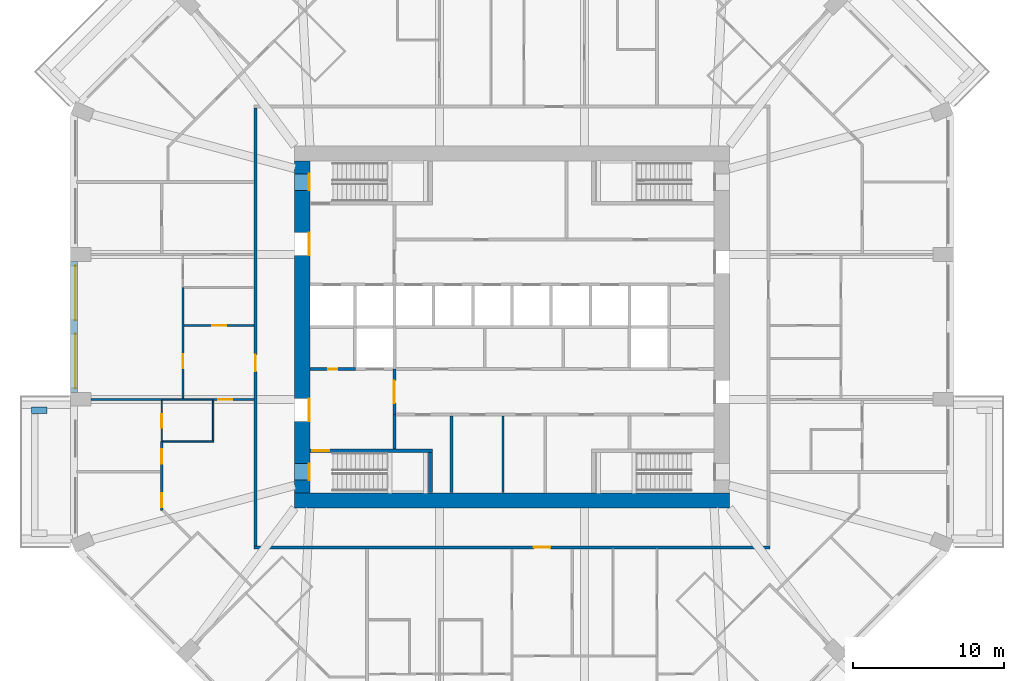
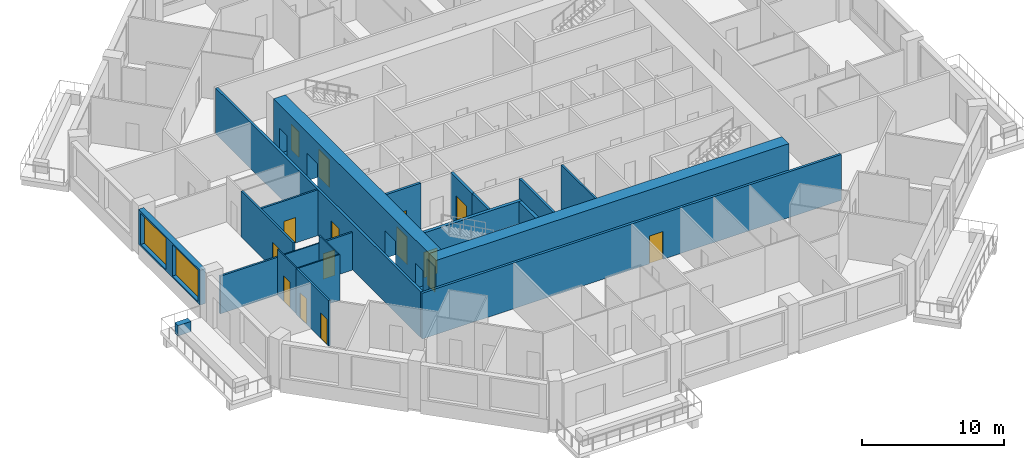
# One storey, part 4 of 13: 22 walls, 15 doors, 2 windows, 17 openings.
"""IFC4 building model written with IfcOpenShell, lengths in metres."""

from ifc_helpers import new_model, si_unit, direction, frame, frame_2d, origin, place, context, subcontext, project, spatial, rectangle, extrude, material, layer, layer_set, type_object, element, fill, save


model = new_model("IFC4")

# Units and contexts
model_context = context("Model", 3, precision=1e-05, world=origin(), true_north=direction((0.0, 1.0)))
body_context = subcontext(model_context, "Body", "Model", "MODEL_VIEW")
ifc_project = project(units=[si_unit("LENGTHUNIT", "METRE"), si_unit("AREAUNIT", "SQUARE_METRE"), si_unit("VOLUMEUNIT", "CUBIC_METRE"), si_unit("PLANEANGLEUNIT", "RADIAN"), si_unit("MASSUNIT", "GRAM", prefix="KILO")], contexts=[model_context])

# Site, building, storey
site_placement = place(None, origin())
site = spatial("IfcSite", under=ifc_project, at=site_placement, CompositionType="ELEMENT")
building_placement = place(site_placement, origin())
building = spatial("IfcBuilding", under=site, at=building_placement, Name="Msitu Wima Residences", CompositionType="ELEMENT")
storey_placement = place(building_placement, frame((0.0, 0.0, 54.89990234375)))
storey = spatial("IfcBuildingStorey", under=building, at=storey_placement, Name="L12", CompositionType="ELEMENT", Elevation=54.89990234375)

# Wall
ifc_material_1 = material(Name="Facing brick")
ifc_layer_1 = layer(ifc_material_1, 0.06494140625, Name="Facing brick")
ifc_material_2 = material(Name="Concrete C40/50", Category="concrete")
ifc_layer_2 = layer(ifc_material_2, 0.156005859375, Name="Concrete C40/50")
ifc_material_3 = material(Name="Waterproofing membrane")
ifc_layer_3 = layer(ifc_material_3, 0.00390625, Name="Waterproofing membrane")
ifc_material_4 = material(Name="Planting soil and planting")
ifc_layer_4 = layer(ifc_material_4, 0.22509765625, Name="Planting soil and planting")
ifc_layer_set_1 = layer_set([ifc_layer_1, ifc_layer_2, ifc_layer_3, ifc_layer_4], Name="Concrete C40/50")
wall_type_1 = type_object("IfcWallType", Name="Balcony planter PLANTER PL450", PredefinedType="USERDEFINED", material=ifc_layer_set_1)
wall_1_placement = place(storey_placement, frame((-30.800048828125, -5.52490234375, 0.0), z_axis=(0.0, 0.0, 1.0), x_axis=(-1.0, 0.0, 0.0)))
element("IfcWall", 1, at=wall_1_placement, inside=storey, type_object=wall_type_1, Name="Balcony planter W2 L12", ObjectType="PLANTER", PredefinedType="USERDEFINED", context=body_context, shape_type="SweptSolid", body=[
    extrude(rectangle(XDim=1.050048828125, YDim=0.449951171875, at=frame_2d((0.52490234375, 0.0))), origin(), (0.0, 0.0, 1.0), 0.900146484375),
])

# Wall, openings, windows
ifc_material_5 = material(Name="Brick (red buff mix)", Category="masonry")
ifc_layer_5 = layer(ifc_material_5, 0.449951171875)
ifc_layer_set_2 = layer_set([ifc_layer_5], Name="Brick (red buff mix)")
wall_type_2 = type_object("IfcWallType", Name="Brick infill wall BW450", PredefinedType="SOLIDWALL", material=ifc_layer_set_2)
wall_2_placement = place(storey_placement, frame((-29.02490234375, 4.35009765625, 0.900146484375), z_axis=(0.0, 0.0, 1.0), x_axis=(0.0, -1.0, 0.0)))
wall_2 = element("IfcWall", 2, at=wall_2_placement, inside=storey, type_object=wall_type_2, Name="Brick infill wall L12 W1", PredefinedType="SOLIDWALL", context=body_context, shape_type="SweptSolid", body=[
    extrude(rectangle(XDim=8.7001953125, YDim=0.449951171875, at=frame_2d((4.35009765625, 0.0))), origin(), (0.0, 0.0, 1.0), 3.0),
])
opening_1_placement = place(wall_2_placement, frame((0.300048828125, 0.0, 0.14990234375)))
opening_1 = element("IfcOpeningElement", 3, at=opening_1_placement, cuts=wall_2, Name="Opening W11-12.031", PredefinedType="OPENING", context=body_context, shape_type="SweptSolid", body=[
    extrude(rectangle(XDim=3.60009765625, YDim=2.699951171875, at=frame_2d((1.800048828125, 1.35009765625))), frame((0.0, 0.23486328125, 0.0), z_axis=(0.0, -1.0, 0.0), x_axis=(1.0, 0.0, 0.0)), (0.0, 0.0, 1.0), 0.469970703125),
])
opening_2_placement = place(wall_2_placement, frame((4.800048828125, 0.0, 0.14990234375)))
opening_2 = element("IfcOpeningElement", 4, at=opening_2_placement, cuts=wall_2, Name="Opening W11-12.032", PredefinedType="OPENING", context=body_context, shape_type="SweptSolid", body=[
    extrude(rectangle(XDim=3.60009765625, YDim=2.699951171875, at=frame_2d((1.800048828125, 1.35009765625))), frame((0.0, 0.23486328125, 0.0), z_axis=(0.0, -1.0, 0.0), x_axis=(1.0, 0.0, 0.0)), (0.0, 0.0, 1.0), 0.469970703125),
])
ifc_material_6 = material(Name="Anodised aluminium, bronze finish, clear low-emissivity double glazing", Category="aluminium")
window_type = type_object("IfcWindowType", Name="Window W3600x2700", PartitioningType="DOUBLE_PANEL_VERTICAL", PredefinedType="WINDOW", material=ifc_material_6)
window_1_placement = place(opening_1_placement, origin())
window_1 = element("IfcWindow", 5, at=window_1_placement, inside=storey, type_object=window_type, Name="Window L12 W1.1", OverallHeight=2.699951171875, OverallWidth=3.60009765625, PartitioningType="SINGLE_PANEL", PredefinedType="WINDOW", context=body_context, shape_type="SweptSolid", body=[
    extrude(rectangle(XDim=3.60009765625, YDim=2.699951171875, at=frame_2d((1.800048828125, 1.35009765625))), frame((0.0, 0.135009765625, 0.0), z_axis=(0.0, -1.0, 0.0), x_axis=(1.0, 0.0, 0.0)), (0.0, 0.0, 1.0), 0.06005859375),
])
fill(opening_1, window_1)
window_2_placement = place(opening_2_placement, origin())
window_2 = element("IfcWindow", 6, at=window_2_placement, inside=storey, type_object=window_type, Name="Window L12 W1.2", OverallHeight=2.699951171875, OverallWidth=3.60009765625, PartitioningType="SINGLE_PANEL", PredefinedType="WINDOW", context=body_context, shape_type="SweptSolid", body=[
    extrude(rectangle(XDim=3.60009765625, YDim=2.699951171875, at=frame_2d((1.800048828125, 1.35009765625))), frame((0.0, 0.135009765625, 0.0), z_axis=(0.0, -1.0, 0.0), x_axis=(1.0, 0.0, 0.0)), (0.0, 0.0, 1.0), 0.06005859375),
])
fill(opening_2, window_2)

# Wall
ifc_material_7 = material(Name="Concrete C80/95", Category="concrete")
ifc_layer_6 = layer(ifc_material_7, 1.0)
ifc_layer_set_3 = layer_set([ifc_layer_6], Name="Concrete C80/95")
wall_type_3 = type_object("IfcWallType", Name="Core wall CW1000 C80/95", PredefinedType="SHEAR", material=ifc_layer_set_3)
wall_3_placement = place(storey_placement, frame((-14.39990234375, -11.5, 0.0), z_axis=(0.0, 0.0, 1.0), x_axis=(1.0, 0.0, 0.0)))
element("IfcWall", 7, at=wall_3_placement, inside=storey, type_object=wall_type_3, Name="Core wall", PredefinedType="SHEAR", context=body_context, shape_type="SweptSolid", body=[
    extrude(rectangle(XDim=28.7998046875, YDim=1.0, at=frame_2d((14.39990234375, 0.0))), origin(), (0.0, 0.0, 1.0), 4.2001953125),
])

# Wall, openings, doors
wall_4_placement = place(storey_placement, frame((-13.89990234375, -11.0, 0.0), z_axis=(0.0, 0.0, 1.0), x_axis=(0.0, 1.0, 0.0)))
wall_4 = element("IfcWall", 8, at=wall_4_placement, inside=storey, type_object=wall_type_3, Name="Core wall", PredefinedType="SHEAR", context=body_context, shape_type="SweptSolid", body=[
    extrude(rectangle(XDim=22.0, YDim=1.0, at=frame_2d((11.0, 0.0))), origin(), (0.0, 0.0, 1.0), 4.2001953125),
])
opening_3_placement = place(wall_4_placement, frame((20.050048828125, 0.0, 0.0)))
opening_3 = element("IfcOpeningElement", 9, at=opening_3_placement, cuts=wall_4, Name="Opening D11-12.031", PredefinedType="OPENING", context=body_context, shape_type="SweptSolid", body=[
    extrude(rectangle(XDim=1.10009765625, YDim=2.199951171875, at=frame_2d((0.550048828125, 1.10009765625))), frame((0.0, 0.510009765625, 0.0), z_axis=(0.0, -1.0, 0.0), x_axis=(1.0, 0.0, 0.0)), (0.0, 0.0, 1.0), 1.02001953125),
])
opening_4_placement = place(wall_4_placement, frame((0.85009765625, 0.0, 0.0)))
opening_4 = element("IfcOpeningElement", 10, at=opening_4_placement, cuts=wall_4, Name="Opening D11-12.033", PredefinedType="OPENING", context=body_context, shape_type="SweptSolid", body=[
    extrude(rectangle(XDim=1.10009765625, YDim=2.199951171875, at=frame_2d((0.550048828125, 1.10009765625))), frame((0.0, 0.510009765625, 0.0), z_axis=(0.0, -1.0, 0.0), x_axis=(1.0, 0.0, 0.0)), (0.0, 0.0, 1.0), 1.02001953125),
])
opening_5_placement = place(wall_4_placement, frame((15.75, 0.0, 0.0)))
opening_5 = element("IfcOpeningElement", 11, at=opening_5_placement, cuts=wall_4, Name="Opening D11-12.013", PredefinedType="OPENING", context=body_context, shape_type="SweptSolid", body=[
    extrude(rectangle(XDim=1.5, YDim=2.39990234375, at=frame_2d((0.75, 1.199951171875))), frame((0.0, 0.510009765625, 0.0), z_axis=(0.0, -1.0, 0.0), x_axis=(1.0, 0.0, 0.0)), (0.0, 0.0, 1.0), 1.02001953125),
])
opening_6_placement = place(wall_4_placement, frame((4.75, 0.0, 0.0)))
opening_6 = element("IfcOpeningElement", 12, at=opening_6_placement, cuts=wall_4, Name="Opening D11-12.015", PredefinedType="OPENING", context=body_context, shape_type="SweptSolid", body=[
    extrude(rectangle(XDim=1.5, YDim=2.39990234375, at=frame_2d((0.75, 1.199951171875))), frame((0.0, 0.510009765625, 0.0), z_axis=(0.0, -1.0, 0.0), x_axis=(1.0, 0.0, 0.0)), (0.0, 0.0, 1.0), 1.02001953125),
])
ifc_material_8 = material(Name="Steel framed glazed door, fire resisting", Category="steel")
door_type_1 = type_object("IfcDoorType", Name="Lobby door D07 1500x2400", OperationType="DOUBLE_DOOR_SINGLE_SWING", PredefinedType="DOOR", material=ifc_material_8)
door_1_placement = place(opening_5_placement, origin())
door_1 = element("IfcDoor", 13, at=door_1_placement, inside=storey, type_object=door_type_1, Name="Lobby door", OperationType="DOUBLE_DOOR_SINGLE_SWING", OverallHeight=2.39990234375, OverallWidth=1.5, PredefinedType="DOOR", context=body_context, shape_type="SweptSolid", body=[
    extrude(rectangle(XDim=1.5, YDim=2.39990234375, at=frame_2d((0.75, 1.199951171875))), frame((0.0, -0.44482421875, 0.0), z_axis=(0.0, -1.0, 0.0), x_axis=(1.0, 0.0, 0.0)), (0.0, 0.0, 1.0), 0.050048828125),
])
fill(opening_5, door_1)
door_2_placement = place(opening_6_placement, origin())
door_2 = element("IfcDoor", 14, at=door_2_placement, inside=storey, type_object=door_type_1, Name="Lobby door", OperationType="DOUBLE_DOOR_SINGLE_SWING", OverallHeight=2.39990234375, OverallWidth=1.5, PredefinedType="DOOR", context=body_context, shape_type="SweptSolid", body=[
    extrude(rectangle(XDim=1.5, YDim=2.39990234375, at=frame_2d((0.75, 1.199951171875))), frame((0.0, -0.44482421875, 0.0), z_axis=(0.0, -1.0, 0.0), x_axis=(1.0, 0.0, 0.0)), (0.0, 0.0, 1.0), 0.050048828125),
])
fill(opening_6, door_2)
ifc_material_9 = material(Name="Steel door, fire resisting, panic bar", Category="steel")
door_type_2 = type_object("IfcDoorType", Name="Stair door D06 1100x2200", OperationType="SINGLE_SWING_LEFT", PredefinedType="DOOR", material=ifc_material_9)
door_3_placement = place(opening_3_placement, origin())
door_3 = element("IfcDoor", 15, at=door_3_placement, inside=storey, type_object=door_type_2, Name="Stair door", OperationType="SINGLE_SWING_RIGHT", OverallHeight=2.199951171875, OverallWidth=1.10009765625, PredefinedType="DOOR", context=body_context, shape_type="SweptSolid", body=[
    extrude(rectangle(XDim=1.10009765625, YDim=2.199951171875, at=frame_2d((0.550048828125, 1.10009765625))), frame((0.0, -0.44482421875, 0.0), z_axis=(0.0, -1.0, 0.0), x_axis=(1.0, 0.0, 0.0)), (0.0, 0.0, 1.0), 0.050048828125),
])
fill(opening_3, door_3)
door_4_placement = place(opening_4_placement, origin())
door_4 = element("IfcDoor", 16, at=door_4_placement, inside=storey, type_object=door_type_2, Name="Stair door", OperationType="SINGLE_SWING_LEFT", OverallHeight=2.199951171875, OverallWidth=1.10009765625, PredefinedType="DOOR", context=body_context, shape_type="SweptSolid", body=[
    extrude(rectangle(XDim=1.10009765625, YDim=2.199951171875, at=frame_2d((0.550048828125, 1.10009765625))), frame((0.0, -0.44482421875, 0.0), z_axis=(0.0, -1.0, 0.0), x_axis=(1.0, 0.0, 0.0)), (0.0, 0.0, 1.0), 0.050048828125),
])
fill(opening_4, door_4)

# Wall, opening, door
ifc_material_10 = material(Name="Plaster")
ifc_layer_7 = layer(ifc_material_10, 0.011962890625, Name="Plaster")
ifc_material_11 = material(Name="Concrete blockwork", Category="masonry")
ifc_layer_8 = layer(ifc_material_11, 0.176025390625, Name="Concrete blockwork")
ifc_layer_9 = layer(ifc_material_10, 0.011962890625, Name="Plaster")
ifc_layer_set_4 = layer_set([ifc_layer_7, ifc_layer_8, ifc_layer_9], Name="Concrete blockwork")
wall_type_4 = type_object("IfcWallType", Name="Corridor wall FW200", PredefinedType="PARTITIONING", material=ifc_layer_set_4)
wall_5_placement = place(storey_placement, frame((-17.0, -14.5, 0.0), z_axis=(0.0, 0.0, 1.0), x_axis=(0.0, 1.0, 0.0)))
wall_5 = element("IfcWall", 17, at=wall_5_placement, inside=storey, type_object=wall_type_4, Name="Corridor wall", PredefinedType="PARTITIONING", context=body_context, shape_type="SweptSolid", body=[
    extrude(rectangle(XDim=29.0, YDim=0.199951171875, at=frame_2d((14.5, 0.0))), origin(), (0.0, 0.0, 1.0), 3.9501953125),
])
opening_7_placement = place(wall_5_placement, frame((11.550048828125, 0.0, 0.0)))
opening_7 = element("IfcOpeningElement", 18, at=opening_7_placement, cuts=wall_5, Name="Opening D11-12.010", PredefinedType="OPENING", context=body_context, shape_type="SweptSolid", body=[
    extrude(rectangle(XDim=1.10009765625, YDim=2.39990234375, at=frame_2d((0.550048828125, 1.199951171875))), frame((0.0, 0.10986328125, 0.0), z_axis=(0.0, -1.0, 0.0), x_axis=(1.0, 0.0, 0.0)), (0.0, 0.0, 1.0), 0.219970703125),
])
ifc_material_12 = material(Name="Timber flush door, fire resisting, self-closing", Category="wood")
door_type_3 = type_object("IfcDoorType", Name="Flat entrance door D01 1100x2400", OperationType="SINGLE_SWING_LEFT", PredefinedType="DOOR", material=ifc_material_12)
door_5_placement = place(opening_7_placement, origin())
door_5 = element("IfcDoor", 19, at=door_5_placement, inside=storey, type_object=door_type_3, Name="Flat entrance door", OperationType="SINGLE_SWING_LEFT", OverallHeight=2.39990234375, OverallWidth=1.10009765625, PredefinedType="DOOR", context=body_context, shape_type="SweptSolid", body=[
    extrude(rectangle(XDim=1.10009765625, YDim=2.39990234375, at=frame_2d((0.550048828125, 1.199951171875))), frame((0.0, 0.02490234375, 0.0), z_axis=(0.0, -1.0, 0.0), x_axis=(1.0, 0.0, 0.0)), (0.0, 0.0, 1.0), 0.050048828125),
])
fill(opening_7, door_5)

wall_6_placement = place(storey_placement, frame((-17.10009765625, -14.60009765625, 0.0), z_axis=(0.0, 0.0, 1.0), x_axis=(1.0, 0.0, 0.0)))
wall_6 = element("IfcWall", 20, at=wall_6_placement, inside=storey, type_object=wall_type_4, Name="Corridor wall", PredefinedType="PARTITIONING", context=body_context, shape_type="SweptSolid", body=[
    extrude(rectangle(XDim=34.2001953125, YDim=0.199951171875, at=frame_2d((17.10009765625, 0.0))), origin(), (0.0, 0.0, 1.0), 3.9501953125),
])
opening_8_placement = place(wall_6_placement, frame((18.550048828125, 0.0, 0.0)))
opening_8 = element("IfcOpeningElement", 21, at=opening_8_placement, cuts=wall_6, Name="Opening D11-12.011", PredefinedType="OPENING", context=body_context, shape_type="SweptSolid", body=[
    extrude(rectangle(XDim=1.10009765625, YDim=2.39990234375, at=frame_2d((0.550048828125, 1.199951171875))), frame((0.0, 0.10986328125, 0.0), z_axis=(0.0, -1.0, 0.0), x_axis=(1.0, 0.0, 0.0)), (0.0, 0.0, 1.0), 0.219970703125),
])
door_6_placement = place(opening_8_placement, origin())
door_6 = element("IfcDoor", 22, at=door_6_placement, inside=storey, type_object=door_type_3, Name="Flat entrance door", OperationType="SINGLE_SWING_LEFT", OverallHeight=2.39990234375, OverallWidth=1.10009765625, PredefinedType="DOOR", context=body_context, shape_type="SweptSolid", body=[
    extrude(rectangle(XDim=1.10009765625, YDim=2.39990234375, at=frame_2d((0.550048828125, 1.199951171875))), frame((0.0, 0.02490234375, 0.0), z_axis=(0.0, -1.0, 0.0), x_axis=(1.0, 0.0, 0.0)), (0.0, 0.0, 1.0), 0.050048828125),
])
fill(opening_8, door_6)

wall_7_placement = place(storey_placement, frame((-7.800048828125, -5.800048828125, 0.0), z_axis=(0.0, 0.0, 1.0), x_axis=(0.0, 1.0, 0.0)))
wall_7 = element("IfcWall", 23, at=wall_7_placement, inside=storey, type_object=wall_type_4, Name="Corridor wall", PredefinedType="PARTITIONING", context=body_context, shape_type="SweptSolid", body=[
    extrude(rectangle(XDim=3.0, YDim=0.199951171875, at=frame_2d((1.5, 0.0))), origin(), (0.0, 0.0, 1.0), 3.9501953125),
])
opening_9_placement = place(wall_7_placement, frame((0.75, 0.0, 0.0)))
opening_9 = element("IfcOpeningElement", 24, at=opening_9_placement, cuts=wall_7, Name="Opening D11-12.016", PredefinedType="OPENING", context=body_context, shape_type="SweptSolid", body=[
    extrude(rectangle(XDim=1.5, YDim=2.39990234375, at=frame_2d((0.75, 1.199951171875))), frame((0.0, 0.10986328125, 0.0), z_axis=(0.0, -1.0, 0.0), x_axis=(1.0, 0.0, 0.0)), (0.0, 0.0, 1.0), 0.219970703125),
])
door_7_placement = place(opening_9_placement, origin())
door_7 = element("IfcDoor", 25, at=door_7_placement, inside=storey, type_object=door_type_1, Name="Lobby door", OperationType="DOUBLE_DOOR_SINGLE_SWING", OverallHeight=2.39990234375, OverallWidth=1.5, PredefinedType="DOOR", context=body_context, shape_type="SweptSolid", body=[
    extrude(rectangle(XDim=1.5, YDim=2.39990234375, at=frame_2d((0.75, 1.199951171875))), frame((0.0, 0.02490234375, 0.0), z_axis=(0.0, -1.0, 0.0), x_axis=(1.0, 0.0, 0.0)), (0.0, 0.0, 1.0), 0.050048828125),
])
fill(opening_9, door_7)

# Wall
ifc_layer_10 = layer(ifc_material_10, 0.011962890625, Name="Plaster")
ifc_layer_11 = layer(ifc_material_11, 0.1259765625, Name="Concrete blockwork")
ifc_layer_12 = layer(ifc_material_10, 0.011962890625, Name="Plaster")
ifc_layer_set_5 = layer_set([ifc_layer_10, ifc_layer_11, ifc_layer_12], Name="Concrete blockwork")
wall_type_5 = type_object("IfcWallType", Name="Partition PW150", PredefinedType="PARTITIONING", material=ifc_layer_set_5)
wall_8_placement = place(storey_placement, frame((-27.89990234375, -4.800048828125, 0.0), z_axis=(0.0, 0.0, 1.0), x_axis=(1.0, 0.0, 0.0)))
element("IfcWall", 26, at=wall_8_placement, inside=storey, type_object=wall_type_5, Name="Partition", PredefinedType="PARTITIONING", context=body_context, shape_type="SweptSolid", body=[
    extrude(rectangle(XDim=4.719970703125, YDim=0.14990234375, at=frame_2d((2.35986328125, 0.0))), origin(), (0.0, 0.0, 1.0), 3.25),
])

# Wall, openings, doors
wall_9_placement = place(storey_placement, frame((-23.199951171875, -12.155517578125, 0.0), z_axis=(0.0, 0.0, 1.0), x_axis=(0.0, 1.0, 0.0)))
wall_9 = element("IfcWall", 27, at=wall_9_placement, inside=storey, type_object=wall_type_5, Name="Partition", PredefinedType="PARTITIONING", context=body_context, shape_type="SweptSolid", body=[
    extrude(rectangle(XDim=4.575439453125, YDim=0.14990234375, at=frame_2d((2.28759765625, 0.0))), origin(), (0.0, 0.0, 1.0), 3.9501953125),
])
opening_10_placement = place(wall_9_placement, frame((3.10009765625, 0.0, 0.0)))
opening_10 = element("IfcOpeningElement", 28, at=opening_10_placement, cuts=wall_9, Name="Opening D11-12.062", PredefinedType="OPENING", context=body_context, shape_type="SweptSolid", body=[
    extrude(rectangle(XDim=0.949951171875, YDim=2.199951171875, at=frame_2d((0.47509765625, 1.10009765625))), frame((0.0, 0.0849609375, 0.0), z_axis=(0.0, -1.0, 0.0), x_axis=(1.0, 0.0, 0.0)), (0.0, 0.0, 1.0), 0.169921875),
])
opening_11_placement = place(wall_9_placement, frame((0.199951171875, 0.0, 0.0)))
opening_11 = element("IfcOpeningElement", 29, at=opening_11_placement, cuts=wall_9, Name="Opening D11-12.067", PredefinedType="OPENING", context=body_context, shape_type="SweptSolid", body=[
    extrude(rectangle(XDim=0.949951171875, YDim=2.199951171875, at=frame_2d((0.47509765625, 1.10009765625))), frame((0.0, 0.0849609375, 0.0), z_axis=(0.0, -1.0, 0.0), x_axis=(1.0, 0.0, 0.0)), (0.0, 0.0, 1.0), 0.169921875),
])
ifc_material_13 = material(Name="Timber flush door", Category="wood")
door_type_4 = type_object("IfcDoorType", Name="Room door D12 950x2200", OperationType="SINGLE_SWING_LEFT", PredefinedType="DOOR", material=ifc_material_13)
door_8_placement = place(opening_10_placement, origin())
door_8 = element("IfcDoor", 30, at=door_8_placement, inside=storey, type_object=door_type_4, Name="Room door", OperationType="SINGLE_SWING_LEFT", OverallHeight=2.199951171875, OverallWidth=0.949951171875, PredefinedType="DOOR", context=body_context, shape_type="SweptSolid", body=[
    extrude(rectangle(XDim=0.949951171875, YDim=2.199951171875, at=frame_2d((0.47509765625, 1.10009765625))), frame((0.0, 0.02490234375, 0.0), z_axis=(0.0, -1.0, 0.0), x_axis=(1.0, 0.0, 0.0)), (0.0, 0.0, 1.0), 0.050048828125),
])
fill(opening_10, door_8)
door_9_placement = place(opening_11_placement, origin())
door_9 = element("IfcDoor", 31, at=door_9_placement, inside=storey, type_object=door_type_4, Name="Room door", OperationType="SINGLE_SWING_RIGHT", OverallHeight=2.199951171875, OverallWidth=0.949951171875, PredefinedType="DOOR", context=body_context, shape_type="SweptSolid", body=[
    extrude(rectangle(XDim=0.949951171875, YDim=2.199951171875, at=frame_2d((0.47509765625, 1.10009765625))), frame((0.0, 0.02490234375, 0.0), z_axis=(0.0, -1.0, 0.0), x_axis=(1.0, 0.0, 0.0)), (0.0, 0.0, 1.0), 0.050048828125),
])
fill(opening_11, door_9)

# Wall, opening, door
wall_10_placement = place(storey_placement, frame((-21.800048828125, -4.75, 0.0), z_axis=(0.0, 0.0, 1.0), x_axis=(0.0, 1.0, 0.0)))
wall_10 = element("IfcWall", 32, at=wall_10_placement, inside=storey, type_object=wall_type_5, Name="Partition", PredefinedType="PARTITIONING", context=body_context, shape_type="SweptSolid", body=[
    extrude(rectangle(XDim=7.3701171875, YDim=0.14990234375, at=frame_2d((3.68505859375, 0.0))), origin(), (0.0, 0.0, 1.0), 3.9501953125),
])
opening_12_placement = place(wall_10_placement, frame((2.0, 0.0, 0.0)))
opening_12 = element("IfcOpeningElement", 33, at=opening_12_placement, cuts=wall_10, Name="Opening D11-12.057", PredefinedType="OPENING", context=body_context, shape_type="SweptSolid", body=[
    extrude(rectangle(XDim=0.949951171875, YDim=2.199951171875, at=frame_2d((0.47509765625, 1.10009765625))), frame((0.0, 0.0849609375, 0.0), z_axis=(0.0, -1.0, 0.0), x_axis=(1.0, 0.0, 0.0)), (0.0, 0.0, 1.0), 0.169921875),
])
door_10_placement = place(opening_12_placement, origin())
door_10 = element("IfcDoor", 34, at=door_10_placement, inside=storey, type_object=door_type_4, Name="Room door", OperationType="SINGLE_SWING_LEFT", OverallHeight=2.199951171875, OverallWidth=0.949951171875, PredefinedType="DOOR", context=body_context, shape_type="SweptSolid", body=[
    extrude(rectangle(XDim=0.949951171875, YDim=2.199951171875, at=frame_2d((0.47509765625, 1.10009765625))), frame((0.0, 0.02490234375, 0.0), z_axis=(0.0, -1.0, 0.0), x_axis=(1.0, 0.0, 0.0)), (0.0, 0.0, 1.0), 0.050048828125),
])
fill(opening_12, door_10)

wall_11_placement = place(storey_placement, frame((-21.72509765625, 0.10009765625, 0.0), z_axis=(0.0, 0.0, 1.0), x_axis=(1.0, 0.0, 0.0)))
wall_11 = element("IfcWall", 35, at=wall_11_placement, inside=storey, type_object=wall_type_5, Name="Partition", PredefinedType="PARTITIONING", context=body_context, shape_type="SweptSolid", body=[
    extrude(rectangle(XDim=4.625, YDim=0.14990234375, at=frame_2d((2.3125, 0.0))), origin(), (0.0, 0.0, 1.0), 3.9501953125),
])
opening_13_placement = place(wall_11_placement, frame((1.85009765625, 0.0, 0.0)))
opening_13 = element("IfcOpeningElement", 36, at=opening_13_placement, cuts=wall_11, Name="Opening D11-12.065", PredefinedType="OPENING", context=body_context, shape_type="SweptSolid", body=[
    extrude(rectangle(XDim=0.949951171875, YDim=2.199951171875, at=frame_2d((0.47509765625, 1.10009765625))), frame((0.0, 0.0849609375, 0.0), z_axis=(0.0, -1.0, 0.0), x_axis=(1.0, 0.0, 0.0)), (0.0, 0.0, 1.0), 0.169921875),
])
door_11_placement = place(opening_13_placement, origin())
door_11 = element("IfcDoor", 37, at=door_11_placement, inside=storey, type_object=door_type_4, Name="Room door", OperationType="SINGLE_SWING_RIGHT", OverallHeight=2.199951171875, OverallWidth=0.949951171875, PredefinedType="DOOR", context=body_context, shape_type="SweptSolid", body=[
    extrude(rectangle(XDim=0.949951171875, YDim=2.199951171875, at=frame_2d((0.47509765625, 1.10009765625))), frame((0.0, 0.02490234375, 0.0), z_axis=(0.0, -1.0, 0.0), x_axis=(1.0, 0.0, 0.0)), (0.0, 0.0, 1.0), 0.050048828125),
])
fill(opening_13, door_11)

wall_12_placement = place(storey_placement, frame((-19.780029296875, -4.800048828125, 0.0), z_axis=(0.0, 0.0, 1.0), x_axis=(1.0, 0.0, 0.0)))
wall_12 = element("IfcWall", 38, at=wall_12_placement, inside=storey, type_object=wall_type_5, Name="Partition", PredefinedType="PARTITIONING", context=body_context, shape_type="SweptSolid", body=[
    extrude(rectangle(XDim=2.679931640625, YDim=0.14990234375, at=frame_2d((1.33984375, 0.0))), origin(), (0.0, 0.0, 1.0), 3.25),
])
opening_14_placement = place(wall_12_placement, frame((0.300048828125, 0.0, 0.0)))
opening_14 = element("IfcOpeningElement", 39, at=opening_14_placement, cuts=wall_12, Name="Opening D11-12.058", PredefinedType="OPENING", context=body_context, shape_type="SweptSolid", body=[
    extrude(rectangle(XDim=0.949951171875, YDim=2.199951171875, at=frame_2d((0.47509765625, 1.10009765625))), frame((0.0, 0.0849609375, 0.0), z_axis=(0.0, -1.0, 0.0), x_axis=(1.0, 0.0, 0.0)), (0.0, 0.0, 1.0), 0.169921875),
])
door_12_placement = place(opening_14_placement, origin())
door_12 = element("IfcDoor", 40, at=door_12_placement, inside=storey, type_object=door_type_4, Name="Room door", OperationType="SINGLE_SWING_RIGHT", OverallHeight=2.199951171875, OverallWidth=0.949951171875, PredefinedType="DOOR", context=body_context, shape_type="SweptSolid", body=[
    extrude(rectangle(XDim=0.949951171875, YDim=2.199951171875, at=frame_2d((0.47509765625, 1.10009765625))), frame((0.0, 0.02490234375, 0.0), z_axis=(0.0, -1.0, 0.0), x_axis=(1.0, 0.0, 0.0)), (0.0, 0.0, 1.0), 0.050048828125),
])
fill(opening_14, door_12)

# Wall
wall_13_placement = place(storey_placement, frame((-0.60009765625, -10.969970703125, 0.0), z_axis=(0.0, 0.0, 1.0), x_axis=(0.0, 1.0, 0.0)))
element("IfcWall", 41, at=wall_13_placement, inside=storey, type_object=wall_type_5, Name="Partition", PredefinedType="PARTITIONING", context=body_context, shape_type="SweptSolid", body=[
    extrude(rectangle(XDim=5.070068359375, YDim=0.14990234375, at=frame_2d((2.53515625, 0.0))), origin(), (0.0, 0.0, 1.0), 3.9501953125),
])

# Wall, opening, door
ifc_layer_13 = layer(ifc_material_10, 0.011962890625, Name="Plaster")
ifc_material_14 = material(Name="Reinforced concrete blockwork", Category="masonry")
ifc_layer_14 = layer(ifc_material_14, 0.176025390625, Name="Reinforced concrete blockwork")
ifc_layer_15 = layer(ifc_material_10, 0.011962890625, Name="Plaster")
ifc_layer_set_6 = layer_set([ifc_layer_13, ifc_layer_14, ifc_layer_15], Name="Reinforced concrete blockwork")
wall_type_6 = type_object("IfcWallType", Name="Plant and riser wall PL200", PredefinedType="PARTITIONING", material=ifc_layer_set_6)
wall_14_placement = place(storey_placement, frame((-13.3701171875, -2.800048828125, 0.0), z_axis=(0.0, 0.0, 1.0), x_axis=(1.0, 0.0, 0.0)))
wall_14 = element("IfcWall", 42, at=wall_14_placement, inside=storey, type_object=wall_type_6, Name="Plant and riser wall", PredefinedType="PARTITIONING", context=body_context, shape_type="SweptSolid", body=[
    extrude(rectangle(XDim=2.990234375, YDim=0.199951171875, at=frame_2d((1.4951171875, 0.0))), origin(), (0.0, 0.0, 1.0), 3.9501953125),
])
opening_15_placement = place(wall_14_placement, frame((1.199951171875, 0.0, 0.0)))
opening_15 = element("IfcOpeningElement", 43, at=opening_15_placement, cuts=wall_14, Name="Opening D11-12.027", PredefinedType="OPENING", context=body_context, shape_type="SweptSolid", body=[
    extrude(rectangle(XDim=0.60009765625, YDim=2.0, at=frame_2d((0.300048828125, 1.0))), frame((0.0, 0.10986328125, 0.0), z_axis=(0.0, -1.0, 0.0), x_axis=(1.0, 0.0, 0.0)), (0.0, 0.0, 1.0), 0.219970703125),
])
ifc_material_15 = material(Name="Steel access door, fire resisting", Category="steel")
door_type_5 = type_object("IfcDoorType", Name="Riser access door D08 600x2000", OperationType="SINGLE_SWING_LEFT", PredefinedType="DOOR", material=ifc_material_15)
door_13_placement = place(opening_15_placement, origin())
door_13 = element("IfcDoor", 44, at=door_13_placement, inside=storey, type_object=door_type_5, Name="Riser access door", OperationType="SINGLE_SWING_RIGHT", OverallHeight=2.0, OverallWidth=0.60009765625, PredefinedType="DOOR", context=body_context, shape_type="SweptSolid", body=[
    extrude(rectangle(XDim=0.60009765625, YDim=2.0, at=frame_2d((0.300048828125, 1.0))), frame((0.0, 0.02490234375, 0.0), z_axis=(0.0, -1.0, 0.0), x_axis=(1.0, 0.0, 0.0)), (0.0, 0.0, 1.0), 0.050048828125),
])
fill(opening_15, door_13)

# Walls
wall_15_placement = place(storey_placement, frame((-7.800048828125, -8.074951171875, 0.0), z_axis=(0.0, 0.0, 1.0), x_axis=(0.0, 1.0, 0.0)))
element("IfcWall", 45, at=wall_15_placement, inside=storey, type_object=wall_type_6, Name="Plant and riser wall", PredefinedType="PARTITIONING", context=body_context, shape_type="SweptSolid", body=[
    extrude(rectangle(XDim=2.27490234375, YDim=0.199951171875, at=frame_2d((1.137451171875, 0.0))), origin(), (0.0, 0.0, 1.0), 3.9501953125),
])
wall_16_placement = place(storey_placement, frame((-4.0, -10.969970703125, 0.0), z_axis=(0.0, 0.0, 1.0), x_axis=(0.0, 1.0, 0.0)))
element("IfcWall", 46, at=wall_16_placement, inside=storey, type_object=wall_type_6, Name="Plant and riser wall", PredefinedType="PARTITIONING", context=body_context, shape_type="SweptSolid", body=[
    extrude(rectangle(XDim=5.070068359375, YDim=0.199951171875, at=frame_2d((2.53515625, 0.0))), origin(), (0.0, 0.0, 1.0), 3.9501953125),
])

# Wall, opening, door
ifc_material_16 = material(Name="Concrete C50/60", Category="concrete")
ifc_layer_16 = layer(ifc_material_16, 0.25)
ifc_layer_set_7 = layer_set([ifc_layer_16], Name="Concrete C50/60")
wall_type_7 = type_object("IfcWallType", Name="Stair enclosure wall SW250", PredefinedType="SHEAR", material=ifc_layer_set_7)
wall_17_placement = place(storey_placement, frame((-13.3701171875, -8.199951171875, 0.0), z_axis=(0.0, 0.0, 1.0), x_axis=(1.0, 0.0, 0.0)))
wall_17 = element("IfcWall", 47, at=wall_17_placement, inside=storey, type_object=wall_type_7, Name="Stair enclosure wall", PredefinedType="SHEAR", context=body_context, shape_type="SweptSolid", body=[
    extrude(rectangle(XDim=8.09521484375, YDim=0.25, at=frame_2d((4.047607421875, 0.0))), origin(), (0.0, 0.0, 1.0), 3.9501953125),
])
opening_16_placement = place(wall_17_placement, frame((0.14990234375, 0.0, 0.0)))
opening_16 = element("IfcOpeningElement", 48, at=opening_16_placement, cuts=wall_17, Name="Opening D11-12.034", PredefinedType="OPENING", context=body_context, shape_type="SweptSolid", body=[
    extrude(rectangle(XDim=1.10009765625, YDim=2.199951171875, at=frame_2d((0.550048828125, 1.10009765625))), frame((0.0, 0.135009765625, 0.0), z_axis=(0.0, -1.0, 0.0), x_axis=(1.0, 0.0, 0.0)), (0.0, 0.0, 1.0), 0.27001953125),
])
door_14_placement = place(opening_16_placement, origin())
door_14 = element("IfcDoor", 49, at=door_14_placement, inside=storey, type_object=door_type_2, Name="Stair door", OperationType="SINGLE_SWING_RIGHT", OverallHeight=2.199951171875, OverallWidth=1.10009765625, PredefinedType="DOOR", context=body_context, shape_type="SweptSolid", body=[
    extrude(rectangle(XDim=1.10009765625, YDim=2.199951171875, at=frame_2d((0.550048828125, 1.10009765625))), frame((0.0, 0.02490234375, 0.0), z_axis=(0.0, -1.0, 0.0), x_axis=(1.0, 0.0, 0.0)), (0.0, 0.0, 1.0), 0.050048828125),
])
fill(opening_16, door_14)

# Walls
wall_18_placement = place(storey_placement, frame((-5.39990234375, -10.969970703125, 0.0), z_axis=(0.0, 0.0, 1.0), x_axis=(0.0, 1.0, 0.0)))
element("IfcWall", 50, at=wall_18_placement, inside=storey, type_object=wall_type_7, Name="Stair enclosure wall", PredefinedType="SHEAR", context=body_context, shape_type="SweptSolid", body=[
    extrude(rectangle(XDim=2.64501953125, YDim=0.25, at=frame_2d((1.322509765625, 0.0))), origin(), (0.0, 0.0, 1.0), 3.9501953125),
])
ifc_material_17 = material(Name="Ceramic tiles")
ifc_layer_17 = layer(ifc_material_17, 0.008056640625, Name="Ceramic tiles")
ifc_material_18 = material(Name="Moisture-resistant board")
ifc_layer_18 = layer(ifc_material_18, 0.012451171875, Name="Moisture-resistant board")
ifc_material_19 = material(Name="Light-gauge stud framing with mineral wool")
ifc_layer_19 = layer(ifc_material_19, 0.06689453125, Name="Light-gauge stud framing with mineral wool")
ifc_layer_20 = layer(ifc_material_18, 0.012451171875, Name="Moisture-resistant board")
ifc_layer_set_8 = layer_set([ifc_layer_17, ifc_layer_18, ifc_layer_19, ifc_layer_20], Name="Light-gauge stud framing with mineral wool")
wall_type_8 = type_object("IfcWallType", Name="Wet wall PW100", PredefinedType="PARTITIONING", material=ifc_layer_set_8)
wall_19_placement = place(storey_placement, frame((-23.179931640625, -4.800048828125, 0.0), z_axis=(0.0, 0.0, 1.0), x_axis=(1.0, 0.0, 0.0)))
element("IfcWall", 51, at=wall_19_placement, inside=storey, type_object=wall_type_8, Name="Wet wall", PredefinedType="PARTITIONING", context=body_context, shape_type="SweptSolid", body=[
    extrude(rectangle(XDim=3.39990234375, YDim=0.10009765625, at=frame_2d((1.699951171875, 0.0))), origin(), (0.0, 0.0, 1.0), 3.25),
])

# Wall, opening, door
wall_20_placement = place(storey_placement, frame((-23.199951171875, -7.580078125, 0.0), z_axis=(0.0, 0.0, 1.0), x_axis=(0.0, 1.0, 0.0)))
wall_20 = element("IfcWall", 52, at=wall_20_placement, inside=storey, type_object=wall_type_8, Name="Wet wall", PredefinedType="PARTITIONING", context=body_context, shape_type="SweptSolid", body=[
    extrude(rectangle(XDim=2.705078125, YDim=0.10009765625, at=frame_2d((1.3525390625, 0.0))), origin(), (0.0, 0.0, 1.0), 3.9501953125),
])
opening_17_placement = place(wall_20_placement, frame((0.89990234375, 0.0, 0.0)))
opening_17 = element("IfcOpeningElement", 53, at=opening_17_placement, cuts=wall_20, Name="Opening D11-12.063", PredefinedType="OPENING", context=body_context, shape_type="SweptSolid", body=[
    extrude(rectangle(XDim=0.89990234375, YDim=2.199951171875, at=frame_2d((0.449951171875, 1.10009765625))), frame((0.0, 0.06005859375, 0.0), z_axis=(0.0, -1.0, 0.0), x_axis=(1.0, 0.0, 0.0)), (0.0, 0.0, 1.0), 0.1201171875),
])
ifc_material_20 = material(Name="Timber flush door, moisture resistant", Category="wood")
door_type_6 = type_object("IfcDoorType", Name="Bathroom door D03 900x2200", OperationType="SINGLE_SWING_LEFT", PredefinedType="DOOR", material=ifc_material_20)
door_15_placement = place(opening_17_placement, origin())
door_15 = element("IfcDoor", 54, at=door_15_placement, inside=storey, type_object=door_type_6, Name="Bathroom door", OperationType="SINGLE_SWING_RIGHT", OverallHeight=2.199951171875, OverallWidth=0.89990234375, PredefinedType="DOOR", context=body_context, shape_type="SweptSolid", body=[
    extrude(rectangle(XDim=0.89990234375, YDim=2.199951171875, at=frame_2d((0.449951171875, 1.10009765625))), frame((0.0, 0.02490234375, 0.0), z_axis=(0.0, -1.0, 0.0), x_axis=(1.0, 0.0, 0.0)), (0.0, 0.0, 1.0), 0.050048828125),
])
fill(opening_17, door_15)

# Walls
wall_21_placement = place(storey_placement, frame((-23.125, -7.60009765625, 0.0), z_axis=(0.0, 0.0, 1.0), x_axis=(1.0, 0.0, 0.0)))
element("IfcWall", 55, at=wall_21_placement, inside=storey, type_object=wall_type_8, Name="Wet wall", PredefinedType="PARTITIONING", context=body_context, shape_type="SweptSolid", body=[
    extrude(rectangle(XDim=3.375, YDim=0.10009765625, at=frame_2d((1.6875, 0.0))), origin(), (0.0, 0.0, 1.0), 3.9501953125),
])
wall_22_placement = place(storey_placement, frame((-19.800048828125, -7.550048828125, 0.0), z_axis=(0.0, 0.0, 1.0), x_axis=(0.0, 1.0, 0.0)))
element("IfcWall", 56, at=wall_22_placement, inside=storey, type_object=wall_type_8, Name="Wet wall", PredefinedType="PARTITIONING", context=body_context, shape_type="SweptSolid", body=[
    extrude(rectangle(XDim=2.675048828125, YDim=0.10009765625, at=frame_2d((1.33740234375, 0.0))), origin(), (0.0, 0.0, 1.0), 3.9501953125),
])

save(model, "model.ifc")
